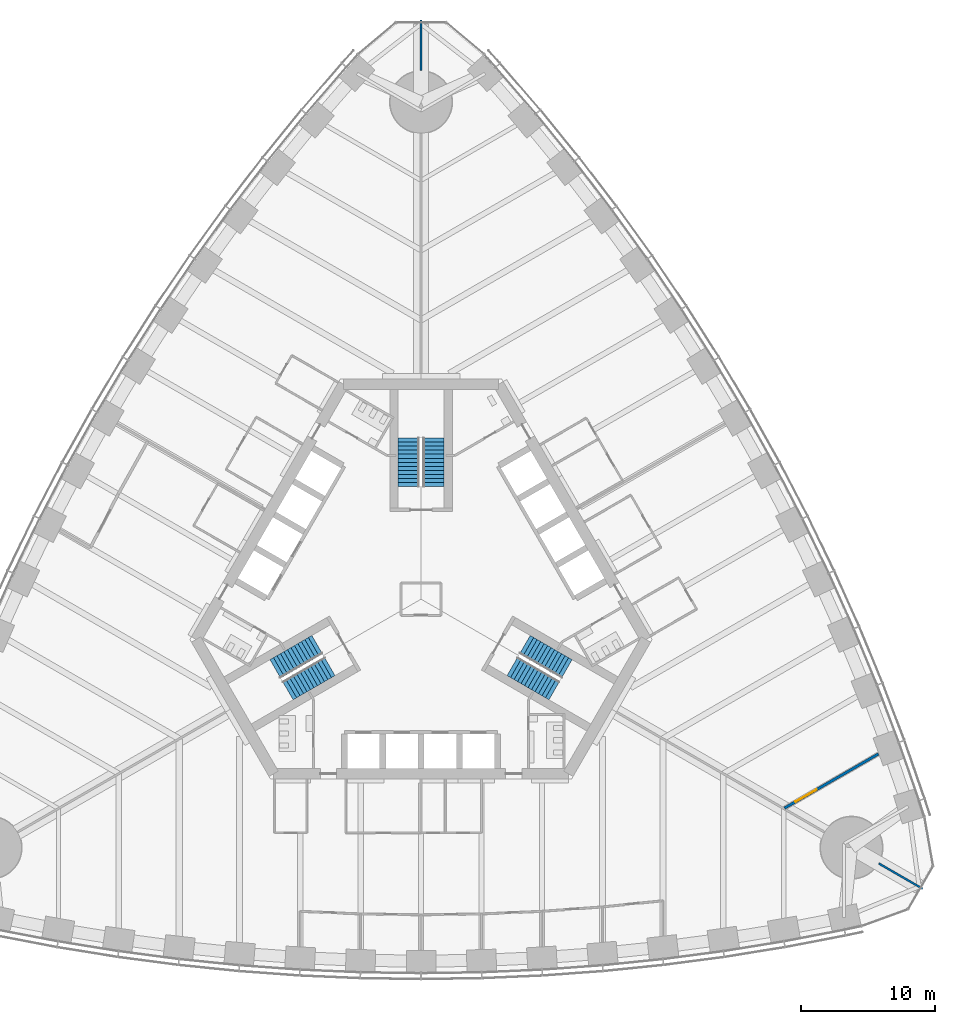
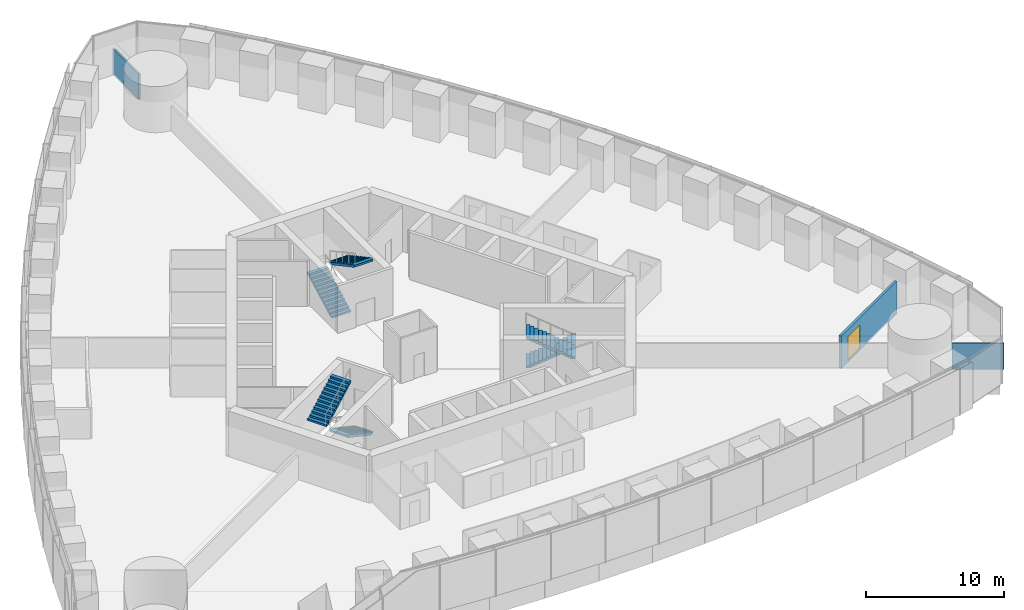
# One storey, part 13 of 18: 6 stair flights, 3 walls, 1 door, 1 opening, 3 elements without a shape of their own.
"""IFC4 building model written with IfcOpenShell, lengths in metres."""

from ifc_helpers import new_model, si_unit, direction, frame, frame_2d, origin, place, context, subcontext, project, spatial, polyline, rectangle, outline, extrude, material, layer, layer_set, type_object, element, fill, aggregate, save


model = new_model("IFC4")

# Units and contexts
model_context = context("Model", 3, precision=1e-05, world=origin(), true_north=direction((0.0, 1.0)))
body_context = subcontext(model_context, "Body", "Model", "MODEL_VIEW")
ifc_project = project(units=[si_unit("LENGTHUNIT", "METRE"), si_unit("AREAUNIT", "SQUARE_METRE"), si_unit("VOLUMEUNIT", "CUBIC_METRE"), si_unit("PLANEANGLEUNIT", "RADIAN"), si_unit("MASSUNIT", "GRAM", prefix="KILO")], contexts=[model_context])

# Site, building, storey
site_placement = place(None, origin())
site = spatial("IfcSite", under=ifc_project, at=site_placement, CompositionType="ELEMENT")
building_placement = place(site_placement, origin())
building = spatial("IfcBuilding", under=site, at=building_placement, Name="Trefoil Bronze Tower", CompositionType="ELEMENT")
storey_placement = place(building_placement, frame((0.0, 0.0, 71.10009765625)))
storey = spatial("IfcBuildingStorey", under=building, at=storey_placement, Name="L16", CompositionType="ELEMENT", Elevation=71.10009765625)

# Wall, opening, door
ifc_material_1 = material(Name="Gypsum board on steel studs", Category="steel")
ifc_layer_1 = layer(ifc_material_1, 0.199951171875)
ifc_layer_set_1 = layer_set([ifc_layer_1], Name="Acoustic partition 200")
wall_type_1 = type_object("IfcWallType", Name="Acoustic partition 200", PredefinedType="PARTITIONING", material=ifc_layer_set_1)
wall_1_placement = place(storey_placement, frame((27.054931640625, -15.556640625, 0.0), z_axis=(0.0, 0.0, 1.0), x_axis=(0.866027459735, 0.499996438971, 0.0)))
wall_1 = element("IfcWall", 1, at=wall_1_placement, inside=storey, type_object=wall_type_1, Name="Partition F2 L16", PredefinedType="PARTITIONING", context=body_context, shape_type="SweptSolid", body=[
    extrude(rectangle(XDim=8.0732421875, YDim=0.199951171875, at=frame_2d((4.03662109375, 0.0))), origin(), (0.0, 0.0, 1.0), 2.89990234375),
])
opening_placement = place(wall_1_placement, frame((0.949951171875, 0.0, 0.14990234375)))
opening = element("IfcOpeningElement", 2, at=opening_placement, cuts=wall_1, Name="Opening D10", PredefinedType="OPENING", context=body_context, shape_type="SweptSolid", body=[
    extrude(rectangle(XDim=1.800048828125, YDim=2.10009765625, at=frame_2d((0.89990234375, 1.050048828125))), frame((0.0, 0.10986328125, 0.0), z_axis=(0.0, -1.0, 0.0), x_axis=(1.0, 0.0, 0.0)), (0.0, 0.0, 1.0), 0.219970703125),
])
ifc_material_2 = material(Name="Timber door", Category="wood")
door_type = type_object("IfcDoorType", Name="Double door 1800", OperationType="DOUBLE_DOOR_SINGLE_SWING", PredefinedType="DOOR", material=ifc_material_2)
door_placement = place(opening_placement, frame((1.800048828125, 0.0, 0.0), z_axis=(0.0, 0.0, 1.0), x_axis=(-1.0, 0.0, 0.0)))
door = element("IfcDoor", 3, at=door_placement, inside=storey, type_object=door_type, Name="Boardroom door F2 L16", OperationType="DOUBLE_DOOR_SINGLE_SWING", OverallHeight=2.10009765625, OverallWidth=1.800048828125, PredefinedType="DOOR", context=body_context, shape_type="SweptSolid", body=[
    extrude(rectangle(XDim=1.800048828125, YDim=2.10009765625, at=frame_2d((0.89990234375, 1.050048828125))), frame((0.0, 0.02490234375, 0.0), z_axis=(0.0, -1.0, 0.0), x_axis=(1.0, 0.0, 0.0)), (0.0, 0.0, 1.0), 0.050048828125),
])
fill(opening, door)

# Walls
ifc_material_3 = material(Name="Gypsum board on steel studs", Category="steel")
ifc_layer_2 = layer(ifc_material_3, 0.14990234375)
ifc_layer_set_2 = layer_set([ifc_layer_2], Name="Party wall 150")
wall_type_2 = type_object("IfcWallType", Name="Party wall 150", PredefinedType="PARTITIONING", material=ifc_layer_set_2)
wall_2_placement = place(storey_placement, frame((34.078125, -19.675048828125, 0.0), z_axis=(0.0, 0.0, 1.0), x_axis=(0.866019247219, -0.500010663332, 0.0)))
element("IfcWall", 4, at=wall_2_placement, inside=storey, type_object=wall_type_2, Name="Party wall K1 L16", PredefinedType="PARTITIONING", context=body_context, shape_type="SweptSolid", body=[
    extrude(rectangle(XDim=3.76416015625, YDim=0.14990234375, at=frame_2d((1.882080078125, 0.0))), origin(), (0.0, 0.0, 1.0), 2.2998046875),
])
wall_3_placement = place(storey_placement, frame((0.0, 39.35009765625, 0.0), z_axis=(0.0, 0.0, 1.0), x_axis=(0.0, 1.0, 0.0)))
element("IfcWall", 5, at=wall_3_placement, inside=storey, type_object=wall_type_2, Name="Party wall K2 L16", PredefinedType="PARTITIONING", context=body_context, shape_type="SweptSolid", body=[
    extrude(rectangle(XDim=3.763916015625, YDim=0.14990234375, at=frame_2d((1.8818359375, 0.0))), origin(), (0.0, 0.0, 1.0), 2.2998046875),
])

# Stair, stair flights
ifc_material_4 = material(Name="Precast concrete B80", Category="concrete")
stair_type = type_object("IfcStairType", Name="Exit stair 26 risers", PredefinedType="HALF_TURN_STAIR", material=ifc_material_4)
stair_1_placement = place(storey_placement, origin())
stair_1 = element("IfcStair", 6, at=stair_1_placement, inside=storey, type_object=stair_type, Name="Stair ST1 L16", PredefinedType="HALF_TURN_STAIR")
ifc_material_5 = material(Name="Precast concrete B80", Category="concrete")
stair_flight_type = type_object("IfcStairFlightType", Name="Stair flight 1600", PredefinedType="STRAIGHT", material=ifc_material_5)
stair_flight_1_placement = place(storey_placement, frame((7.728515625, -3.39404296875, 0.0), z_axis=(0.0, 0.0, 1.0), x_axis=(0.866025403784, -0.5, 0.0)))
stair_flight_1 = element("IfcStairFlight", 7, at=stair_flight_1_placement, type_object=stair_flight_type, Name="ST1 flight 1", NumberOfRisers=13, NumberOfTreads=12, PredefinedType="STRAIGHT", RiserHeight=0.161538462, TreadLength=0.3, context=body_context, shape_type="SweptSolid", body=[
    extrude(outline(polyline([(0.0, 0.0), (0.0, 0.16162109375), (0.300048828125, 0.16162109375), (0.300048828125, 0.322998046875), (0.60009765625, 0.322998046875), (0.60009765625, 0.484619140625), (0.89990234375, 0.484619140625), (0.89990234375, 0.646240234375), (1.199951171875, 0.646240234375), (1.199951171875, 0.8076171875), (1.5, 0.8076171875), (1.5, 0.96923828125), (1.800048828125, 0.96923828125), (1.800048828125, 1.130859375), (2.10009765625, 1.130859375), (2.10009765625, 1.292236328125), (2.39990234375, 1.292236328125), (2.39990234375, 1.453857421875), (2.699951171875, 1.453857421875), (2.699951171875, 1.615478515625), (3.0, 1.615478515625), (3.0, 1.77685546875), (3.300048828125, 1.77685546875), (3.300048828125, 1.9384765625), (3.60009765625, 1.9384765625), (3.60009765625, 2.10009765625), (3.60009765625, 1.768310546875), (0.316162109375, 0.0), (0.0, 0.0)])), frame((0.0, 0.800048828125, 0.0), z_axis=(0.0, -1.0, 0.0), x_axis=(1.0, 0.0, 0.0)), (0.0, 0.0, 1.0), 1.60009765625),
])
stair_flight_2_placement = place(storey_placement, frame((9.921142578125, -6.796142578125, 2.099853515625), z_axis=(0.0, 0.0, 1.0), x_axis=(-0.866025403784, 0.5, 0.0)))
stair_flight_2 = element("IfcStairFlight", 8, at=stair_flight_2_placement, type_object=stair_flight_type, Name="ST1 flight 2", NumberOfRisers=13, NumberOfTreads=12, PredefinedType="STRAIGHT", RiserHeight=0.161538462, TreadLength=0.3, context=body_context, shape_type="SweptSolid", body=[
    extrude(outline(polyline([(0.0, 0.0), (0.0, 0.16162109375), (0.300048828125, 0.16162109375), (0.300048828125, 0.322998046875), (0.60009765625, 0.322998046875), (0.60009765625, 0.484619140625), (0.89990234375, 0.484619140625), (0.89990234375, 0.646240234375), (1.199951171875, 0.646240234375), (1.199951171875, 0.8076171875), (1.5, 0.8076171875), (1.5, 0.96923828125), (1.800048828125, 0.96923828125), (1.800048828125, 1.130859375), (2.10009765625, 1.130859375), (2.10009765625, 1.292236328125), (2.39990234375, 1.292236328125), (2.39990234375, 1.453857421875), (2.699951171875, 1.453857421875), (2.699951171875, 1.615478515625), (3.0, 1.615478515625), (3.0, 1.77685546875), (3.300048828125, 1.77685546875), (3.300048828125, 1.9384765625), (3.60009765625, 1.9384765625), (3.60009765625, 2.10009765625), (3.60009765625, 1.768310546875), (0.316162109375, 0.0), (0.0, 0.0)])), frame((0.0, 0.800048828125, 0.0), z_axis=(0.0, -1.0, 0.0), x_axis=(1.0, 0.0, 0.0)), (0.0, 0.0, 1.0), 1.60009765625),
])
aggregate(stair_1, [stair_flight_1, stair_flight_2])

stair_2_placement = place(storey_placement, origin())
stair_2 = element("IfcStair", 9, at=stair_2_placement, inside=storey, type_object=stair_type, Name="Stair ST2 L16", PredefinedType="HALF_TURN_STAIR")
stair_flight_3_placement = place(storey_placement, frame((-0.925048828125, 8.389892578125, 0.0), z_axis=(0.0, 0.0, 1.0), x_axis=(0.0, 1.0, 0.0)))
stair_flight_3 = element("IfcStairFlight", 10, at=stair_flight_3_placement, type_object=stair_flight_type, Name="ST2 flight 1", NumberOfRisers=13, NumberOfTreads=12, PredefinedType="STRAIGHT", RiserHeight=0.161538462, TreadLength=0.3, context=body_context, shape_type="SweptSolid", body=[
    extrude(outline(polyline([(0.0, 0.0), (0.0, 0.16162109375), (0.300048828125, 0.16162109375), (0.300048828125, 0.322998046875), (0.60009765625, 0.322998046875), (0.60009765625, 0.484619140625), (0.89990234375, 0.484619140625), (0.89990234375, 0.646240234375), (1.199951171875, 0.646240234375), (1.199951171875, 0.8076171875), (1.5, 0.8076171875), (1.5, 0.96923828125), (1.800048828125, 0.96923828125), (1.800048828125, 1.130859375), (2.10009765625, 1.130859375), (2.10009765625, 1.292236328125), (2.39990234375, 1.292236328125), (2.39990234375, 1.453857421875), (2.699951171875, 1.453857421875), (2.699951171875, 1.615478515625), (3.0, 1.615478515625), (3.0, 1.77685546875), (3.300048828125, 1.77685546875), (3.300048828125, 1.9384765625), (3.60009765625, 1.9384765625), (3.60009765625, 2.10009765625), (3.60009765625, 1.768310546875), (0.316162109375, 0.0), (0.0, 0.0)])), frame((0.0, 0.800048828125, 0.0), z_axis=(0.0, -1.0, 0.0), x_axis=(1.0, 0.0, 0.0)), (0.0, 0.0, 1.0), 1.60009765625),
])
stair_flight_4_placement = place(storey_placement, frame((0.925048828125, 11.989990234375, 2.099853515625), z_axis=(0.0, 0.0, 1.0), x_axis=(0.0, -1.0, 0.0)))
stair_flight_4 = element("IfcStairFlight", 11, at=stair_flight_4_placement, type_object=stair_flight_type, Name="ST2 flight 2", NumberOfRisers=13, NumberOfTreads=12, PredefinedType="STRAIGHT", RiserHeight=0.161538462, TreadLength=0.3, context=body_context, shape_type="SweptSolid", body=[
    extrude(outline(polyline([(0.0, 0.0), (0.0, 0.16162109375), (0.300048828125, 0.16162109375), (0.300048828125, 0.322998046875), (0.60009765625, 0.322998046875), (0.60009765625, 0.484619140625), (0.89990234375, 0.484619140625), (0.89990234375, 0.646240234375), (1.199951171875, 0.646240234375), (1.199951171875, 0.8076171875), (1.5, 0.8076171875), (1.5, 0.96923828125), (1.800048828125, 0.96923828125), (1.800048828125, 1.130859375), (2.10009765625, 1.130859375), (2.10009765625, 1.292236328125), (2.39990234375, 1.292236328125), (2.39990234375, 1.453857421875), (2.699951171875, 1.453857421875), (2.699951171875, 1.615478515625), (3.0, 1.615478515625), (3.0, 1.77685546875), (3.300048828125, 1.77685546875), (3.300048828125, 1.9384765625), (3.60009765625, 1.9384765625), (3.60009765625, 2.10009765625), (3.60009765625, 1.768310546875), (0.316162109375, 0.0), (0.0, 0.0)])), frame((0.0, 0.800048828125, 0.0), z_axis=(0.0, -1.0, 0.0), x_axis=(1.0, 0.0, 0.0)), (0.0, 0.0, 1.0), 1.60009765625),
])
aggregate(stair_2, [stair_flight_3, stair_flight_4])

stair_3_placement = place(storey_placement, origin())
stair_3 = element("IfcStair", 12, at=stair_3_placement, inside=storey, type_object=stair_type, Name="Stair ST3 L16", PredefinedType="HALF_TURN_STAIR")
stair_flight_5_placement = place(storey_placement, frame((-6.803466796875, -4.99609375, 0.0), z_axis=(0.0, 0.0, 1.0), x_axis=(-0.866025403784, -0.5, 0.0)))
stair_flight_5 = element("IfcStairFlight", 13, at=stair_flight_5_placement, type_object=stair_flight_type, Name="ST3 flight 1", NumberOfRisers=13, NumberOfTreads=12, PredefinedType="STRAIGHT", RiserHeight=0.161538462, TreadLength=0.3, context=body_context, shape_type="SweptSolid", body=[
    extrude(outline(polyline([(0.0, 0.0), (0.0, 0.16162109375), (0.300048828125, 0.16162109375), (0.300048828125, 0.322998046875), (0.60009765625, 0.322998046875), (0.60009765625, 0.484619140625), (0.89990234375, 0.484619140625), (0.89990234375, 0.646240234375), (1.199951171875, 0.646240234375), (1.199951171875, 0.8076171875), (1.5, 0.8076171875), (1.5, 0.96923828125), (1.800048828125, 0.96923828125), (1.800048828125, 1.130859375), (2.10009765625, 1.130859375), (2.10009765625, 1.292236328125), (2.39990234375, 1.292236328125), (2.39990234375, 1.453857421875), (2.699951171875, 1.453857421875), (2.699951171875, 1.615478515625), (3.0, 1.615478515625), (3.0, 1.77685546875), (3.300048828125, 1.77685546875), (3.300048828125, 1.9384765625), (3.60009765625, 1.9384765625), (3.60009765625, 2.10009765625), (3.60009765625, 1.768310546875), (0.316162109375, 0.0), (0.0, 0.0)])), frame((0.0, 0.800048828125, 0.0), z_axis=(0.0, -1.0, 0.0), x_axis=(1.0, 0.0, 0.0)), (0.0, 0.0, 1.0), 1.60009765625),
])
stair_flight_6_placement = place(storey_placement, frame((-10.84619140625, -5.19384765625, 2.099853515625), z_axis=(0.0, 0.0, 1.0), x_axis=(0.866025403784, 0.5, 0.0)))
stair_flight_6 = element("IfcStairFlight", 14, at=stair_flight_6_placement, type_object=stair_flight_type, Name="ST3 flight 2", NumberOfRisers=13, NumberOfTreads=12, PredefinedType="STRAIGHT", RiserHeight=0.161538462, TreadLength=0.3, context=body_context, shape_type="SweptSolid", body=[
    extrude(outline(polyline([(0.0, 0.0), (0.0, 0.16162109375), (0.300048828125, 0.16162109375), (0.300048828125, 0.322998046875), (0.60009765625, 0.322998046875), (0.60009765625, 0.484619140625), (0.89990234375, 0.484619140625), (0.89990234375, 0.646240234375), (1.199951171875, 0.646240234375), (1.199951171875, 0.8076171875), (1.5, 0.8076171875), (1.5, 0.96923828125), (1.800048828125, 0.96923828125), (1.800048828125, 1.130859375), (2.10009765625, 1.130859375), (2.10009765625, 1.292236328125), (2.39990234375, 1.292236328125), (2.39990234375, 1.453857421875), (2.699951171875, 1.453857421875), (2.699951171875, 1.615478515625), (3.0, 1.615478515625), (3.0, 1.77685546875), (3.300048828125, 1.77685546875), (3.300048828125, 1.9384765625), (3.60009765625, 1.9384765625), (3.60009765625, 2.10009765625), (3.60009765625, 1.768310546875), (0.316162109375, 0.0), (0.0, 0.0)])), frame((0.0, 0.800048828125, 0.0), z_axis=(0.0, -1.0, 0.0), x_axis=(1.0, 0.0, 0.0)), (0.0, 0.0, 1.0), 1.60009765625),
])
aggregate(stair_3, [stair_flight_5, stair_flight_6])

save(model, "model.ifc")
